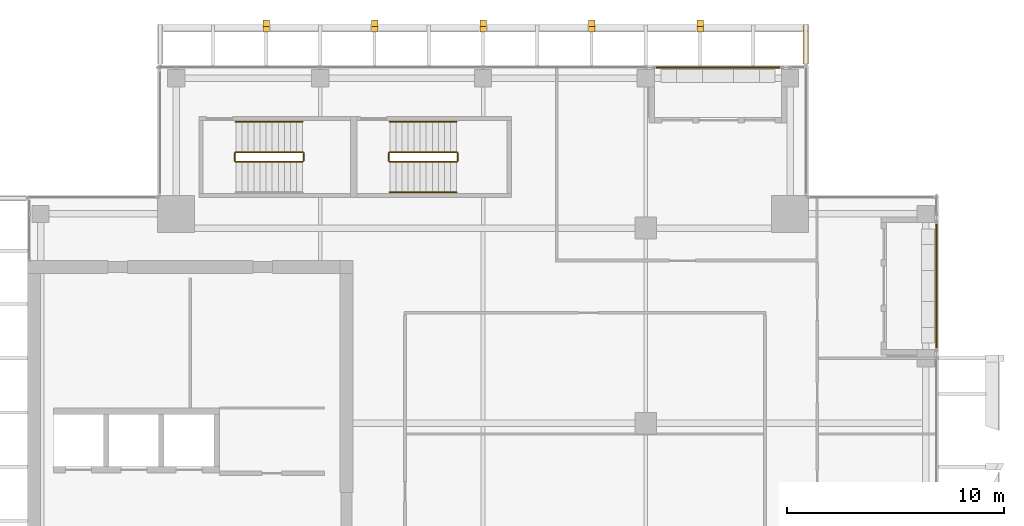
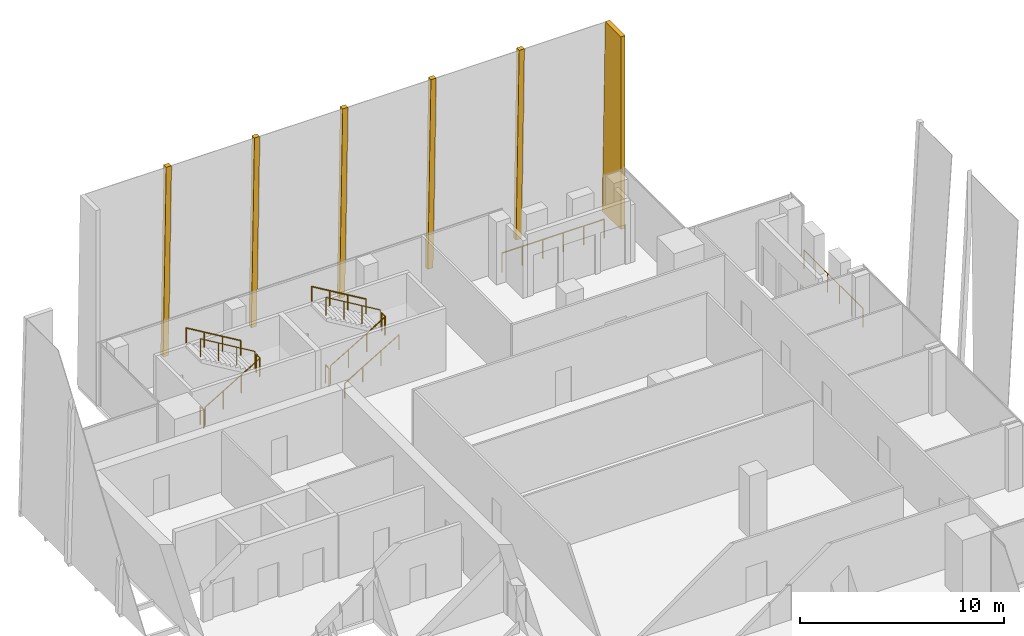
# One storey, part 31 of 32: 13 railings, 6 coverings.
"""IFC4 building model written with IfcOpenShell, lengths in metres."""

from ifc_helpers import new_model, si_unit, direction, frame, origin, origin_2d, place, context, subcontext, project, spatial, polyline, circle, outline, extrude, source, transform, mapped, material, layer, layer_set, type_object, element, save


model = new_model("IFC4")

# Units and contexts
model_context = context("Model", 3, precision=1e-05, world=origin(), true_north=direction((0.0, 1.0)))
body_context = subcontext(model_context, "Body", "Model", "MODEL_VIEW")
ifc_project = project(units=[si_unit("LENGTHUNIT", "METRE"), si_unit("AREAUNIT", "SQUARE_METRE"), si_unit("VOLUMEUNIT", "CUBIC_METRE"), si_unit("PLANEANGLEUNIT", "RADIAN"), si_unit("MASSUNIT", "GRAM", prefix="KILO")], contexts=[model_context])

# Site, building, storey
site_placement = place(None, origin())
site = spatial("IfcSite", under=ifc_project, at=site_placement, CompositionType="ELEMENT")
building_placement = place(site_placement, origin())
building = spatial("IfcBuilding", under=site, at=building_placement, Name="Khomas Fold Tower", CompositionType="ELEMENT")
storey_placement = place(building_placement, frame((0.0, 0.0, 306.199951171875)))
storey = spatial("IfcBuildingStorey", under=building, at=storey_placement, Name="L69", CompositionType="ELEMENT", Elevation=306.199951171875)

# Coverings
ifc_material_1 = material(Name="Natural stone cladding", Category="masonry")
ifc_layer = layer(ifc_material_1, 0.25)
ifc_layer_set = layer_set([ifc_layer], Name="Natural stone cladding")
covering_type = type_object("IfcCoveringType", Name="SK-Karibib marble stone mullion", PredefinedType="CLADDING", material=ifc_layer_set)
for number, where, z_axis, x_axis, name in (
    (1, (16.85009765625, 50.089599609375, 0.006591796875), (0.0, 0.999657230839, 0.026180543005), (1.0, 0.0, 0.0), "OUTER SKIN mullion L69 N2"),
    (2, (21.85009765625, 50.089599609375, 0.006591796875), (0.0, 0.999657230839, 0.026180543005), (1.0, 0.0, 0.0), "OUTER SKIN mullion L69 N4"),
    (3, (26.85009765625, 50.089599609375, 0.006591796875), (0.0, 0.999657230839, 0.026180543005), (1.0, 0.0, 0.0), "OUTER SKIN mullion L69 N6"),
    (4, (31.85009765625, 50.089599609375, 0.006591796875), (0.0, 0.999657230839, 0.026180543005), (1.0, 0.0, 0.0), "OUTER SKIN mullion L69 N8"),
    (5, (36.85009765625, 50.089599609375, 0.006591796875), (0.0, 0.999657230839, 0.026180543005), (1.0, 0.0, 0.0), "OUTER SKIN mullion L69 N10"),
):
    element("IfcCovering", number, at=place(storey_placement, frame(where, z_axis=z_axis, x_axis=x_axis)), inside=storey, type_object=covering_type, Name=name, PredefinedType="CLADDING", context=body_context, shape_type="SweptSolid", body=[
        extrude(outline(polyline([(0.0, 0.0), (0.2998046875, 0.0), (0.2998046875, -11.554009186164079), (0.0, -11.554009186164079), (0.0, 0.0)])), origin(), (0.0, 0.0, -1.0), 0.25),
    ])
covering_placement = place(storey_placement, frame((42.0, 48.050048828125, 0.0), z_axis=(1.0, 0.0, 0.0), x_axis=(0.0, 1.0, 0.0)))
element("IfcCovering", 6, at=covering_placement, inside=storey, type_object=covering_type, Name="OUTER SKIN return L69 N2", PredefinedType="CLADDING", context=body_context, shape_type="SweptSolid", body=[
    extrude(outline(polyline([(0.0, 0.0), (1.82958984375, 0.0), (1.52734375, 11.550048828125), (0.0, 11.550048828125), (0.0, 0.0)])), origin(), (0.0, 0.0, -1.0), 0.25),
])

# Railings
ifc_material_2 = material(Name="Powder-coated steel", Category="steel")
railing_type_1 = type_object("IfcRailingType", Name="Balcony guard", PredefinedType="GUARDRAIL", material=ifc_material_2)
shared_shape_1 = source(origin(), body_context, "Body", "SweptSolid", [
    extrude(circle(Radius=0.02490234375, at=origin_2d()), frame((0.0, 0.0, 1.125), z_axis=(1.0, 0.0, 0.0), x_axis=(0.0, 1.0, 0.0)), (0.0, 0.0, 1.0), 5.7900390625),
    extrude(circle(Radius=0.02001953125, at=origin_2d()), origin(), (0.0, 0.0, 1.0), 1.099853515625),
    extrude(circle(Radius=0.02001953125, at=origin_2d()), frame((1.157958984375, 0.0, 0.0)), (0.0, 0.0, 1.0), 1.099853515625),
    extrude(circle(Radius=0.02001953125, at=origin_2d()), frame((2.31591796875, 0.0, 0.0)), (0.0, 0.0, 1.0), 1.099853515625),
    extrude(circle(Radius=0.02001953125, at=origin_2d()), frame((3.47412109375, 0.0, 0.0)), (0.0, 0.0, 1.0), 1.099853515625),
    extrude(circle(Radius=0.02001953125, at=origin_2d()), frame((4.632080078125, 0.0, 0.0)), (0.0, 0.0, 1.0), 1.099853515625),
    extrude(circle(Radius=0.02001953125, at=origin_2d()), frame((5.7900390625, 0.0, 0.0)), (0.0, 0.0, 1.0), 1.099853515625),
])
railing_1_placement = place(storey_placement, frame((34.929931640625, 47.89990234375, -0.044921875)))
element("IfcRailing", 7, at=railing_1_placement, inside=storey, type_object=railing_type_1, Name="Balcony guard BAL-L69-N4", PredefinedType="GUARDRAIL", context=body_context, shape_type="MappedRepresentation", body=[
    mapped(shared_shape_1, transform((0.0, 0.0, 0.0))),
])
shared_shape_2 = source(origin(), body_context, "Body", "SweptSolid", [
    extrude(circle(Radius=0.02490234375, at=origin_2d()), frame((0.0, 0.0, 1.125), z_axis=(0.0, 1.0, 0.0), x_axis=(-1.0, 0.0, 0.0)), (0.0, 0.0, 1.0), 5.7900390625),
    extrude(circle(Radius=0.02001953125, at=origin_2d()), origin(), (0.0, 0.0, 1.0), 1.099853515625),
    extrude(circle(Radius=0.02001953125, at=origin_2d()), frame((0.0, 1.157958984375, 0.0)), (0.0, 0.0, 1.0), 1.099853515625),
    extrude(circle(Radius=0.02001953125, at=origin_2d()), frame((0.0, 2.31591796875, 0.0)), (0.0, 0.0, 1.0), 1.099853515625),
    extrude(circle(Radius=0.02001953125, at=origin_2d()), frame((0.0, 3.47412109375, 0.0)), (0.0, 0.0, 1.0), 1.099853515625),
    extrude(circle(Radius=0.02001953125, at=origin_2d()), frame((0.0, 4.632080078125, 0.0)), (0.0, 0.0, 1.0), 1.099853515625),
    extrude(circle(Radius=0.02001953125, at=origin_2d()), frame((0.0, 5.7900390625, 0.0)), (0.0, 0.0, 1.0), 1.099853515625),
])
railing_2_placement = place(storey_placement, frame((47.89990234375, 34.929931640625, -0.044921875)))
element("IfcRailing", 8, at=railing_2_placement, inside=storey, type_object=railing_type_1, Name="Balcony guard BAL-L69-E4", PredefinedType="GUARDRAIL", context=body_context, shape_type="MappedRepresentation", body=[
    mapped(shared_shape_2, transform((0.0, 0.0, 0.0))),
])
ifc_material_3 = material(Name="Steel balustrade", Category="steel")
railing_type_2 = type_object("IfcRailingType", Name="Stair guard", PredefinedType="GUARDRAIL", material=ifc_material_3)
shared_shape_3 = source(origin(), body_context, "Body", "SweptSolid", [
    extrude(circle(Radius=0.02392578125, at=origin_2d()), frame((0.0, 0.0, 1.076171875), z_axis=(0.0, 1.0, 0.0), x_axis=(-1.0, 0.0, 0.0)), (0.0, 0.0, 1.0), 0.349853515625),
    extrude(circle(Radius=0.02099609375, at=origin_2d()), origin(), (0.0, 0.0, 1.0), 1.052001953125),
    extrude(circle(Radius=0.02099609375, at=origin_2d()), frame((0.0, 0.349853515625, 0.0)), (0.0, 0.0, 1.0), 1.052001953125),
])
for number, where, name in (
    (9, (18.72998046875, 43.60009765625, 2.0), "L69 ST1 stair guard 2"),
    (10, (15.550048828125, 43.60009765625, 0.0), "L69 ST1 stair guard 4"),
    (11, (25.830078125, 43.60009765625, 2.0), "L69 ST3 stair guard 2"),
    (12, (22.64990234375, 43.60009765625, 0.0), "L69 ST3 stair guard 4"),
):
    element("IfcRailing", number, at=place(storey_placement, frame(where)), inside=storey, type_object=railing_type_2, Name=name, PredefinedType="GUARDRAIL", context=body_context, shape_type="MappedRepresentation", body=[
        mapped(shared_shape_3, transform((0.0, 0.0, 0.0))),
    ])
shared_shape_4 = source(origin(), body_context, "Body", "SweptSolid", [
    extrude(circle(Radius=0.02392578125, at=origin_2d()), frame((0.0, 0.0, 1.076171875), z_axis=(0.859290745958, 0.0, 0.51148745235), x_axis=(0.0, 1.0, 0.0)), (0.0, 0.0, 1.0), 3.584228515625),
    extrude(circle(Radius=0.02099609375, at=origin_2d()), origin(), (0.0, 0.0, 1.0), 1.052001953125),
    extrude(circle(Radius=0.02099609375, at=origin_2d()), frame((1.026611328125, 0.0, 0.611083984375)), (0.0, 0.0, 1.0), 1.052001953125),
    extrude(circle(Radius=0.02099609375, at=origin_2d()), frame((2.05322265625, 0.0, 1.22216796875)), (0.0, 0.0, 1.0), 1.052001953125),
    extrude(circle(Radius=0.02099609375, at=origin_2d()), frame((3.079833984375, 0.0, 1.833251953125)), (0.0, 0.0, 1.0), 1.052001953125),
])
railing_3_placement = place(storey_placement, frame((15.60009765625, 43.550048828125, 0.166748046875)))
element("IfcRailing", 13, at=railing_3_placement, inside=storey, type_object=railing_type_2, Name="L69 ST1 stair guard 1", PredefinedType="GUARDRAIL", context=body_context, shape_type="MappedRepresentation", body=[
    mapped(shared_shape_4, transform((0.0, 0.0, 0.0))),
])
shared_shape_5 = source(origin(), body_context, "Body", "SweptSolid", [
    extrude(circle(Radius=0.02392578125, at=origin_2d()), frame((0.0, 0.0, 1.076171875), z_axis=(-0.859290745958, 0.0, 0.51148745235), x_axis=(0.0, -1.0, 0.0)), (0.0, 0.0, 1.0), 3.584228515625),
    extrude(circle(Radius=0.02099609375, at=origin_2d()), origin(), (0.0, 0.0, 1.0), 1.052001953125),
    extrude(circle(Radius=0.02099609375, at=origin_2d()), frame((-1.026611328125, 0.0, 0.611083984375)), (0.0, 0.0, 1.0), 1.052001953125),
    extrude(circle(Radius=0.02099609375, at=origin_2d()), frame((-2.05322265625, 0.0, 1.22216796875)), (0.0, 0.0, 1.0), 1.052001953125),
    extrude(circle(Radius=0.02099609375, at=origin_2d()), frame((-3.079833984375, 0.0, 1.833251953125)), (0.0, 0.0, 1.0), 1.052001953125),
])
railing_4_placement = place(storey_placement, frame((18.679931640625, 44.0, 2.166748046875)))
element("IfcRailing", 14, at=railing_4_placement, inside=storey, type_object=railing_type_2, Name="L69 ST1 stair guard 3", PredefinedType="GUARDRAIL", context=body_context, shape_type="MappedRepresentation", body=[
    mapped(shared_shape_5, transform((0.0, 0.0, 0.0))),
])
ifc_material_4 = material(Name="Steel handrail", Category="steel")
railing_type_3 = type_object("IfcRailingType", Name="Stair handrail", PredefinedType="HANDRAIL", material=ifc_material_4)
shared_shape_6 = source(origin(), body_context, "Body", "SweptSolid", [
    extrude(circle(Radius=0.02392578125, at=origin_2d()), frame((0.0, 0.0, 0.8759765625), z_axis=(-0.859290745958, 0.0, 0.51148745235), x_axis=(0.0, -1.0, 0.0)), (0.0, 0.0, 1.0), 3.584228515625),
    extrude(circle(Radius=0.02099609375, at=origin_2d()), origin(), (0.0, 0.0, 1.0), 0.851806640625),
    extrude(circle(Radius=0.02099609375, at=origin_2d()), frame((-1.026611328125, 0.0, 0.611083984375)), (0.0, 0.0, 1.0), 0.851806640625),
    extrude(circle(Radius=0.02099609375, at=origin_2d()), frame((-2.05322265625, 0.0, 1.22216796875)), (0.0, 0.0, 1.0), 0.851806640625),
    extrude(circle(Radius=0.02099609375, at=origin_2d()), frame((-3.079833984375, 0.0, 1.833251953125)), (0.0, 0.0, 1.0), 0.851806640625),
])
railing_5_placement = place(storey_placement, frame((18.679931640625, 45.39990234375, 2.166748046875)))
element("IfcRailing", 15, at=railing_5_placement, inside=storey, type_object=railing_type_3, Name="L69 ST1 stair handrail 2", PredefinedType="HANDRAIL", context=body_context, shape_type="MappedRepresentation", body=[
    mapped(shared_shape_6, transform((0.0, 0.0, 0.0))),
])
shared_shape_7 = source(origin(), body_context, "Body", "SweptSolid", [
    extrude(circle(Radius=0.02392578125, at=origin_2d()), frame((0.0, 0.0, 1.076171875), z_axis=(0.859308565015, 0.0, 0.511457515432), x_axis=(0.0, 1.0, 0.0)), (0.0, 0.0, 1.0), 3.58447265625),
    extrude(circle(Radius=0.02099609375, at=origin_2d()), origin(), (0.0, 0.0, 1.0), 1.052001953125),
    extrude(circle(Radius=0.02099609375, at=origin_2d()), frame((1.026611328125, 0.0, 0.611083984375)), (0.0, 0.0, 1.0), 1.052001953125),
    extrude(circle(Radius=0.02099609375, at=origin_2d()), frame((2.053466796875, 0.0, 1.22216796875)), (0.0, 0.0, 1.0), 1.052001953125),
    extrude(circle(Radius=0.02099609375, at=origin_2d()), frame((3.080078125, 0.0, 1.833251953125)), (0.0, 0.0, 1.0), 1.052001953125),
])
railing_6_placement = place(storey_placement, frame((22.699951171875, 43.550048828125, 0.166748046875)))
element("IfcRailing", 16, at=railing_6_placement, inside=storey, type_object=railing_type_2, Name="L69 ST3 stair guard 1", PredefinedType="GUARDRAIL", context=body_context, shape_type="MappedRepresentation", body=[
    mapped(shared_shape_7, transform((0.0, 0.0, 0.0))),
])
shared_shape_8 = source(origin(), body_context, "Body", "SweptSolid", [
    extrude(circle(Radius=0.02392578125, at=origin_2d()), frame((0.0, 0.0, 1.076171875), z_axis=(-0.859308565015, 0.0, 0.511457515432), x_axis=(0.0, -1.0, 0.0)), (0.0, 0.0, 1.0), 3.58447265625),
    extrude(circle(Radius=0.02099609375, at=origin_2d()), origin(), (0.0, 0.0, 1.0), 1.052001953125),
    extrude(circle(Radius=0.02099609375, at=origin_2d()), frame((-1.026611328125, 0.0, 0.611083984375)), (0.0, 0.0, 1.0), 1.052001953125),
    extrude(circle(Radius=0.02099609375, at=origin_2d()), frame((-2.053466796875, 0.0, 1.22216796875)), (0.0, 0.0, 1.0), 1.052001953125),
    extrude(circle(Radius=0.02099609375, at=origin_2d()), frame((-3.080078125, 0.0, 1.833251953125)), (0.0, 0.0, 1.0), 1.052001953125),
])
railing_7_placement = place(storey_placement, frame((25.780029296875, 44.0, 2.166748046875)))
element("IfcRailing", 17, at=railing_7_placement, inside=storey, type_object=railing_type_2, Name="L69 ST3 stair guard 3", PredefinedType="GUARDRAIL", context=body_context, shape_type="MappedRepresentation", body=[
    mapped(shared_shape_8, transform((0.0, 0.0, 0.0))),
])
shared_shape_9 = source(origin(), body_context, "Body", "SweptSolid", [
    extrude(circle(Radius=0.02392578125, at=origin_2d()), frame((0.0, 0.0, 0.8759765625), z_axis=(0.859308565015, 0.0, 0.511457515432), x_axis=(0.0, 1.0, 0.0)), (0.0, 0.0, 1.0), 3.58447265625),
    extrude(circle(Radius=0.02099609375, at=origin_2d()), origin(), (0.0, 0.0, 1.0), 0.851806640625),
    extrude(circle(Radius=0.02099609375, at=origin_2d()), frame((1.026611328125, 0.0, 0.611083984375)), (0.0, 0.0, 1.0), 0.851806640625),
    extrude(circle(Radius=0.02099609375, at=origin_2d()), frame((2.053466796875, 0.0, 1.22216796875)), (0.0, 0.0, 1.0), 0.851806640625),
    extrude(circle(Radius=0.02099609375, at=origin_2d()), frame((3.080078125, 0.0, 1.833251953125)), (0.0, 0.0, 1.0), 0.851806640625),
])
railing_8_placement = place(storey_placement, frame((22.699951171875, 42.14990234375, 0.166748046875)))
element("IfcRailing", 18, at=railing_8_placement, inside=storey, type_object=railing_type_3, Name="L69 ST3 stair handrail 1", PredefinedType="HANDRAIL", context=body_context, shape_type="MappedRepresentation", body=[
    mapped(shared_shape_9, transform((0.0, 0.0, 0.0))),
])
shared_shape_10 = source(origin(), body_context, "Body", "SweptSolid", [
    extrude(circle(Radius=0.02392578125, at=origin_2d()), frame((0.0, 0.0, 0.8759765625), z_axis=(-0.859308565015, 0.0, 0.511457515432), x_axis=(0.0, -1.0, 0.0)), (0.0, 0.0, 1.0), 3.58447265625),
    extrude(circle(Radius=0.02099609375, at=origin_2d()), origin(), (0.0, 0.0, 1.0), 0.851806640625),
    extrude(circle(Radius=0.02099609375, at=origin_2d()), frame((-1.026611328125, 0.0, 0.611083984375)), (0.0, 0.0, 1.0), 0.851806640625),
    extrude(circle(Radius=0.02099609375, at=origin_2d()), frame((-2.053466796875, 0.0, 1.22216796875)), (0.0, 0.0, 1.0), 0.851806640625),
    extrude(circle(Radius=0.02099609375, at=origin_2d()), frame((-3.080078125, 0.0, 1.833251953125)), (0.0, 0.0, 1.0), 0.851806640625),
])
railing_9_placement = place(storey_placement, frame((25.780029296875, 45.39990234375, 2.166748046875)))
element("IfcRailing", 19, at=railing_9_placement, inside=storey, type_object=railing_type_3, Name="L69 ST3 stair handrail 2", PredefinedType="HANDRAIL", context=body_context, shape_type="MappedRepresentation", body=[
    mapped(shared_shape_10, transform((0.0, 0.0, 0.0))),
])

save(model, "model.ifc")
